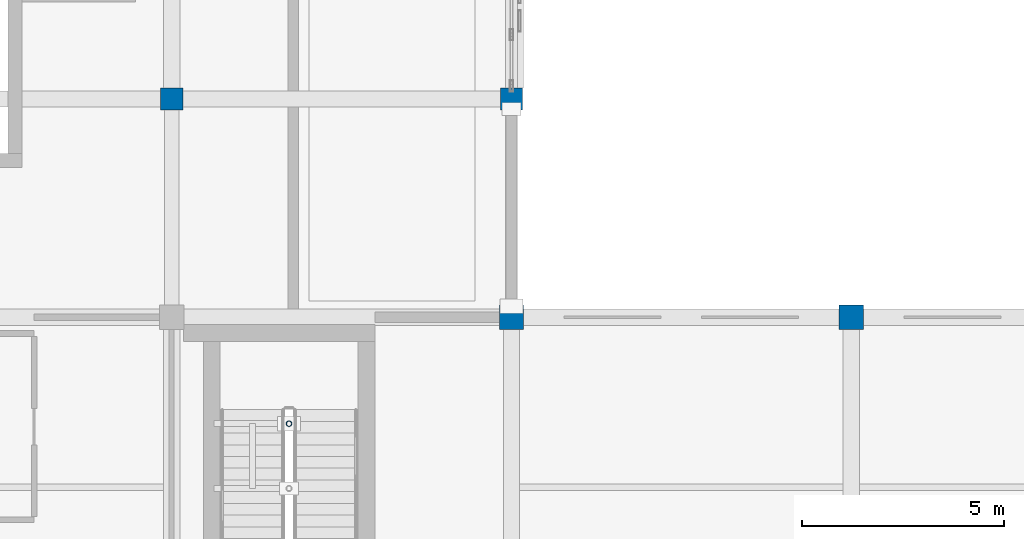
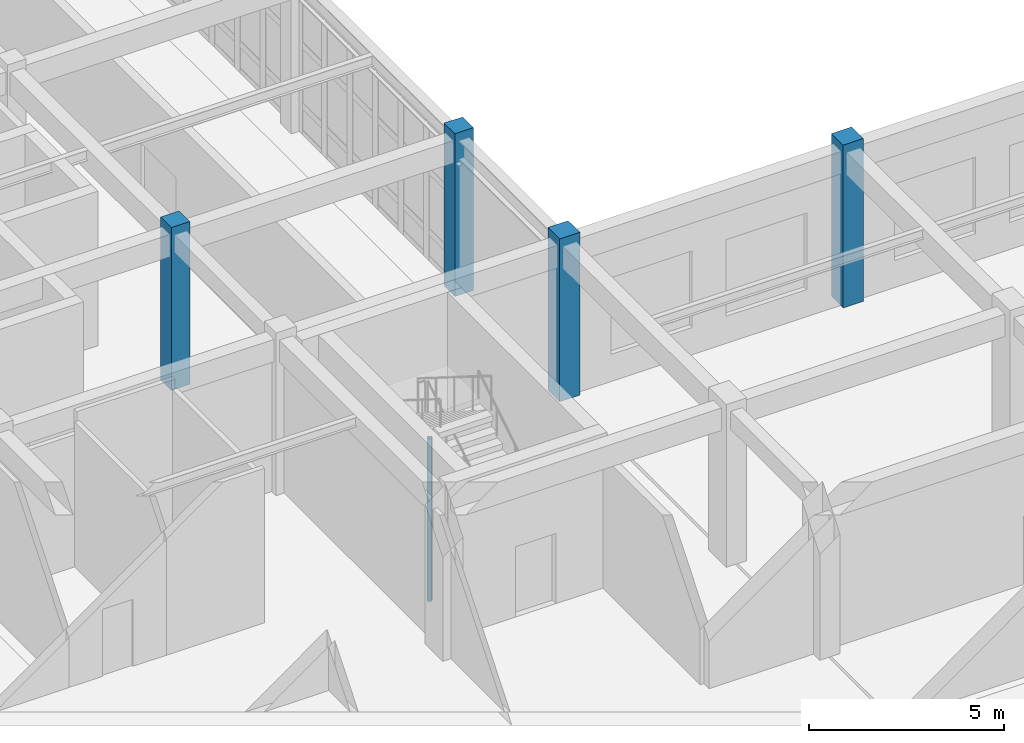
# One storey, part 5 of 77: 5 columns.
"""IFC4 building model written with IfcOpenShell, lengths in metres."""

from ifc_helpers import new_model, si_unit, direction, frame, origin, origin_2d, place, context, subcontext, project, spatial, rectangle, hollow_circle, extrude, material, material_profile, profile_set, type_object, element, save


model = new_model("IFC4")

# Units and contexts
model_context = context("Model", 3, precision=1e-05, world=origin(), true_north=direction((0.0, 1.0)))
body_context = subcontext(model_context, "Body", "Model", "MODEL_VIEW")
ifc_project = project(units=[si_unit("LENGTHUNIT", "METRE"), si_unit("AREAUNIT", "SQUARE_METRE"), si_unit("VOLUMEUNIT", "CUBIC_METRE"), si_unit("PLANEANGLEUNIT", "RADIAN"), si_unit("MASSUNIT", "GRAM", prefix="KILO")], contexts=[model_context])

# Site, building, storey
site_placement = place(None, origin())
site = spatial("IfcSite", under=ifc_project, at=site_placement, CompositionType="ELEMENT")
building_placement = place(site_placement, origin())
building = spatial("IfcBuilding", under=site, at=building_placement, Name="Krzemoval Escarpment Law Courts", CompositionType="ELEMENT")
storey_placement = place(building_placement, frame((0.0, 0.0, 15.300048828125)))
storey = spatial("IfcBuildingStorey", under=building, at=storey_placement, Name="L03", CompositionType="ELEMENT", Elevation=15.300048828125)

# Columns
ifc_material_1 = material(Name="Concrete C40/50", Category="concrete")
ifc_material_profile_1 = material_profile(ifc_material_1, rectangle(XDim=0.550048828125, YDim=0.550048828125, at=origin_2d()), Name="RC 550x550")
ifc_profile_set_1 = profile_set([ifc_material_profile_1], Name="Concrete C40/50")
column_type_1 = type_object("IfcColumnType", Name="COL-RC-550", PredefinedType="COLUMN", material=ifc_profile_set_1)
for number, where, z_axis, x_axis, name in (
    (1, (33.60009765625, 40.800048828125, 0.0), (0.0, 0.0, 1.0), (1.0, 0.0, 0.0), "Column FC-L03-1040"),
    (2, (42.0, 40.800048828125, 0.0), (0.0, 0.0, 1.0), (1.0, 0.0, 0.0), "Column FC-L03-1054"),
):
    element("IfcColumn", number, at=place(storey_placement, frame(where, z_axis=z_axis, x_axis=x_axis)), inside=storey, type_object=column_type_1, Name=name, PredefinedType="COLUMN", context=body_context, shape_type="SweptSolid", body=[
        extrude(rectangle(XDim=0.550048828125, YDim=0.550048828125, at=origin_2d()), origin(), (0.0, 0.0, 1.0), 5.099853515625),
    ])
ifc_material_2 = material(Name="Concrete C40/50", Category="concrete")
ifc_material_profile_2 = material_profile(ifc_material_2, rectangle(XDim=0.60009765625, YDim=0.60009765625, at=origin_2d()), Name="RC 600x600")
ifc_profile_set_2 = profile_set([ifc_material_profile_2], Name="Concrete C40/50")
column_type_2 = type_object("IfcColumnType", Name="COL-RC-600", PredefinedType="COLUMN", material=ifc_profile_set_2)
for number, where, z_axis, x_axis, name in (
    (3, (42.0, 35.39990234375, 0.0), (0.0, 0.0, 1.0), (1.0, 0.0, 0.0), "Column FC-L03-1053"),
    (4, (50.39990234375, 35.39990234375, 0.0), (0.0, 0.0, 1.0), (1.0, 0.0, 0.0), "Column FC-L03-1067"),
):
    element("IfcColumn", number, at=place(storey_placement, frame(where, z_axis=z_axis, x_axis=x_axis)), inside=storey, type_object=column_type_2, Name=name, PredefinedType="COLUMN", context=body_context, shape_type="SweptSolid", body=[
        extrude(rectangle(XDim=0.60009765625, YDim=0.60009765625, at=origin_2d()), origin(), (0.0, 0.0, 1.0), 5.099853515625),
    ])
ifc_material_3 = material(Name="Steel S355", Category="steel")
ifc_material_profile_3 = material_profile(ifc_material_3, hollow_circle(Radius=0.06982421875, WallThickness=0.008056640625, at=origin_2d()), Name="CHS 139.7x8")
ifc_profile_set_3 = profile_set([ifc_material_profile_3], Name="Steel S355")
column_type_3 = type_object("IfcColumnType", Name="COL-S355-CHS140", PredefinedType="COLUMN", material=ifc_profile_set_3)
column_placement = place(storey_placement, frame((36.5, 32.77001953125, -2.97998046875), z_axis=(0.0, 0.0, 1.0), x_axis=(1.0, 0.0, 0.0)))
element("IfcColumn", 5, at=column_placement, inside=storey, type_object=column_type_3, Name="Stair Well Post SCP-C7-L03-1", PredefinedType="COLUMN", context=body_context, shape_type="SweptSolid", body=[
    extrude(hollow_circle(Radius=0.06982421875, WallThickness=0.008056640625, at=origin_2d()), origin(), (0.0, 0.0, 1.0), 5.099853515625),
])

save(model, "model.ifc")
